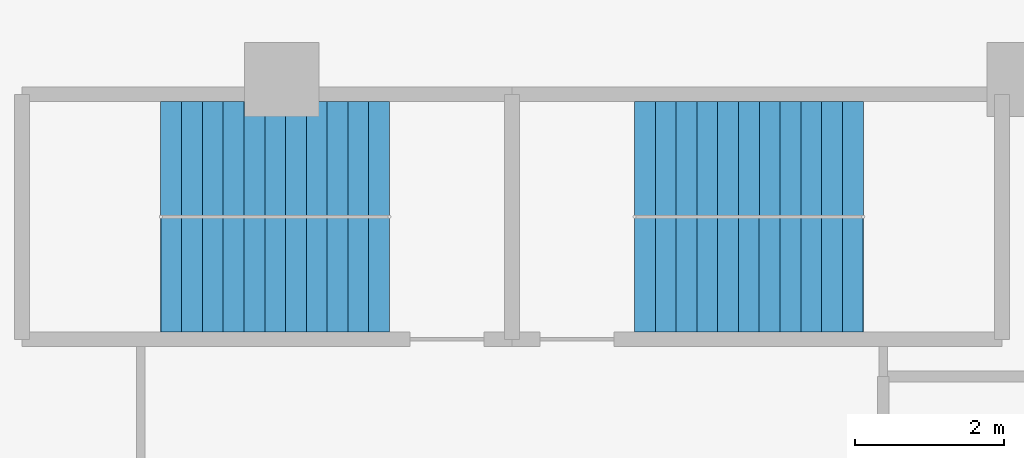
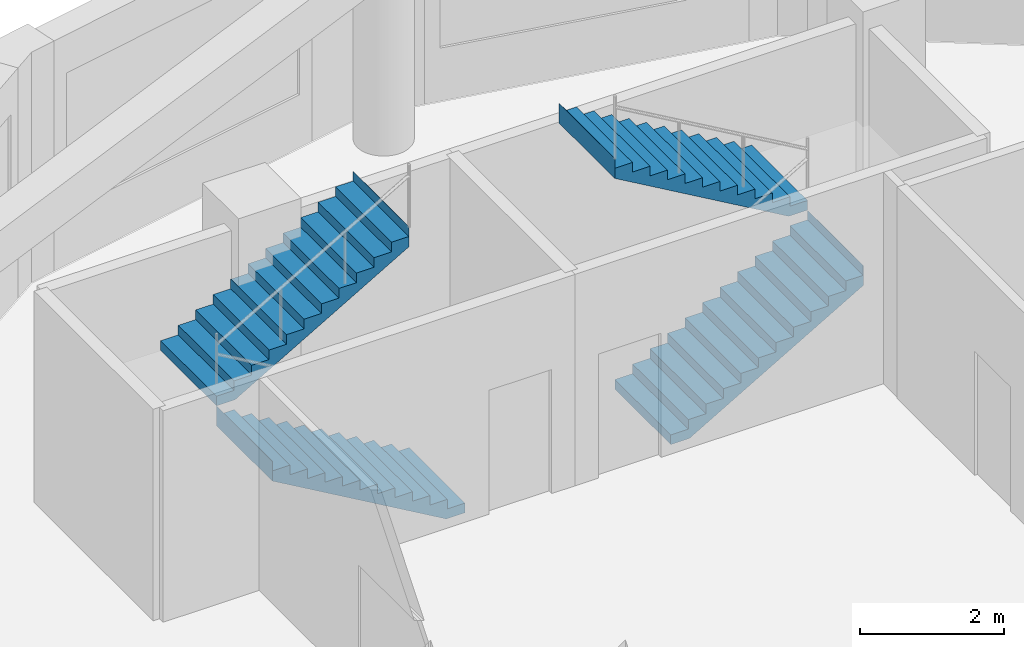
# One storey, part 7 of 9: 4 stair flights, 2 elements without a shape of their own.
"""IFC4 building model written with IfcOpenShell, lengths in metres."""

from ifc_helpers import new_model, si_unit, direction, frame, origin, place, context, subcontext, project, spatial, polyline, outline, extrude, material, type_object, element, aggregate, save


model = new_model("IFC4")

# Units and contexts
model_context = context("Model", 3, precision=1e-05, world=origin(), true_north=direction((0.0, 1.0)))
body_context = subcontext(model_context, "Body", "Model", "MODEL_VIEW")
ifc_project = project(units=[si_unit("LENGTHUNIT", "METRE"), si_unit("AREAUNIT", "SQUARE_METRE"), si_unit("VOLUMEUNIT", "CUBIC_METRE"), si_unit("PLANEANGLEUNIT", "RADIAN"), si_unit("MASSUNIT", "GRAM", prefix="KILO")], contexts=[model_context])

# Site, building, storey
site_placement = place(None, origin())
site = spatial("IfcSite", under=ifc_project, at=site_placement, CompositionType="ELEMENT")
building_placement = place(site_placement, origin())
building = spatial("IfcBuilding", under=site, at=building_placement, Name="Qaws Garden Tower", CompositionType="ELEMENT")
storey_placement = place(building_placement, frame((0.0, 0.0, 267.0)))
storey = spatial("IfcBuildingStorey", under=building, at=storey_placement, Name="L64", CompositionType="ELEMENT", Elevation=267.0)

# Stair, stair flights
ifc_material_1 = material(Name="Concrete C40", Category="concrete")
stair_type = type_object("IfcStairType", Name="Exit stair 1350", PredefinedType="HALF_TURN_STAIR", material=ifc_material_1)
placement = place(storey_placement, origin())
stair_1 = element("IfcStair", 1, at=placement, inside=storey, type_object=stair_type, Name="Stair 6", PredefinedType="HALF_TURN_STAIR")
ifc_material_2 = material(Name="Concrete C40", Category="concrete")
stair_flight_type = type_object("IfcStairFlightType", Name="Stair flight 1350", PredefinedType="STRAIGHT", material=ifc_material_2)
stair_flight_1_placement = place(storey_placement, frame((11.449951171875, 67.375, 0.0), z_axis=(0.0, 0.0, 1.0), x_axis=(-1.0, 0.0, 0.0)))
stair_flight_1 = element("IfcStairFlight", 2, at=stair_flight_1_placement, type_object=stair_flight_type, Name="ST6 flight 1", NumberOfRisers=12, NumberOfTreads=11, PredefinedType="STRAIGHT", RiserHeight=0.1625, TreadLength=0.28, context=body_context, shape_type="SweptSolid", body=[
    extrude(outline(polyline([(-0.0029296875, 0.0), (-0.0029296875, 0.16259765625), (0.0, 0.16259765625), (0.280029296875, 0.16259765625), (0.280029296875, 0.324951171875), (0.56005859375, 0.324951171875), (0.56005859375, 0.487548828125), (0.840087890625, 0.487548828125), (0.840087890625, 0.64990234375), (1.1201171875, 0.64990234375), (1.1201171875, 0.8125), (1.39990234375, 0.8125), (1.39990234375, 0.97509765625), (1.679931640625, 0.97509765625), (1.679931640625, 1.137451171875), (1.9599609375, 1.137451171875), (1.9599609375, 1.300048828125), (2.239990234375, 1.300048828125), (2.239990234375, 1.46240234375), (2.52001953125, 1.46240234375), (2.52001953125, 1.625), (2.800048828125, 1.625), (2.800048828125, 1.78759765625), (3.080078125, 1.78759765625), (3.080078125, 1.949951171875), (3.0830078125, 1.949951171875), (3.0830078125, 1.6142578125), (3.080078125, 1.6142578125), (0.298583984375, 0.0), (-0.0029296875, 0.0)])), frame((0.0, 0.77490234375, 0.0), z_axis=(0.0, -1.0, 0.0), x_axis=(1.0, 0.0, 0.0)), (0.0, 0.0, 1.0), 1.550048828125),
])
stair_flight_2_placement = place(storey_placement, frame((8.3701171875, 68.925048828125, 1.949951171875), z_axis=(0.0, 0.0, 1.0), x_axis=(1.0, 0.0, 0.0)))
stair_flight_2 = element("IfcStairFlight", 3, at=stair_flight_2_placement, type_object=stair_flight_type, Name="ST6 flight 2", NumberOfRisers=12, NumberOfTreads=11, PredefinedType="STRAIGHT", RiserHeight=0.1625, TreadLength=0.28, context=body_context, shape_type="SweptSolid", body=[
    extrude(outline(polyline([(-0.0029296875, 0.0), (-0.0029296875, 0.16259765625), (0.0, 0.16259765625), (0.280029296875, 0.16259765625), (0.280029296875, 0.324951171875), (0.56005859375, 0.324951171875), (0.56005859375, 0.487548828125), (0.840087890625, 0.487548828125), (0.840087890625, 0.64990234375), (1.1201171875, 0.64990234375), (1.1201171875, 0.8125), (1.39990234375, 0.8125), (1.39990234375, 0.97509765625), (1.679931640625, 0.97509765625), (1.679931640625, 1.137451171875), (1.9599609375, 1.137451171875), (1.9599609375, 1.300048828125), (2.239990234375, 1.300048828125), (2.239990234375, 1.46240234375), (2.52001953125, 1.46240234375), (2.52001953125, 1.625), (2.800048828125, 1.625), (2.800048828125, 1.78759765625), (3.080078125, 1.78759765625), (3.080078125, 1.949951171875), (3.0830078125, 1.949951171875), (3.0830078125, 1.6142578125), (3.080078125, 1.6142578125), (0.298583984375, 0.0), (-0.0029296875, 0.0)])), frame((0.0, 0.77490234375, 0.0), z_axis=(0.0, -1.0, 0.0), x_axis=(1.0, 0.0, 0.0)), (0.0, 0.0, 1.0), 1.550048828125),
])
aggregate(stair_1, [stair_flight_1, stair_flight_2])

stair_2 = element("IfcStair", 4, at=placement, inside=storey, type_object=stair_type, Name="Stair 7", PredefinedType="HALF_TURN_STAIR")
stair_flight_3_placement = place(storey_placement, frame((14.75, 67.375, 0.0), z_axis=(0.0, 0.0, 1.0), x_axis=(1.0, 0.0, 0.0)))
stair_flight_3 = element("IfcStairFlight", 5, at=stair_flight_3_placement, type_object=stair_flight_type, Name="ST7 flight 1", NumberOfRisers=12, NumberOfTreads=11, PredefinedType="STRAIGHT", RiserHeight=0.1625, TreadLength=0.28, context=body_context, shape_type="SweptSolid", body=[
    extrude(outline(polyline([(-0.0029296875, 0.0), (-0.0029296875, 0.16259765625), (0.0, 0.16259765625), (0.280029296875, 0.16259765625), (0.280029296875, 0.324951171875), (0.56005859375, 0.324951171875), (0.56005859375, 0.487548828125), (0.840087890625, 0.487548828125), (0.840087890625, 0.64990234375), (1.1201171875, 0.64990234375), (1.1201171875, 0.8125), (1.39990234375, 0.8125), (1.39990234375, 0.97509765625), (1.679931640625, 0.97509765625), (1.679931640625, 1.137451171875), (1.9599609375, 1.137451171875), (1.9599609375, 1.300048828125), (2.239990234375, 1.300048828125), (2.239990234375, 1.46240234375), (2.52001953125, 1.46240234375), (2.52001953125, 1.625), (2.800048828125, 1.625), (2.800048828125, 1.78759765625), (3.080078125, 1.78759765625), (3.080078125, 1.949951171875), (3.0830078125, 1.949951171875), (3.0830078125, 1.6142578125), (3.080078125, 1.6142578125), (0.298583984375, 0.0), (-0.0029296875, 0.0)])), frame((0.0, 0.77490234375, 0.0), z_axis=(0.0, -1.0, 0.0), x_axis=(1.0, 0.0, 0.0)), (0.0, 0.0, 1.0), 1.550048828125),
])
stair_flight_4_placement = place(storey_placement, frame((17.830078125, 68.925048828125, 1.949951171875), z_axis=(0.0, 0.0, 1.0), x_axis=(-1.0, 0.0, 0.0)))
stair_flight_4 = element("IfcStairFlight", 6, at=stair_flight_4_placement, type_object=stair_flight_type, Name="ST7 flight 2", NumberOfRisers=12, NumberOfTreads=11, PredefinedType="STRAIGHT", RiserHeight=0.1625, TreadLength=0.28, context=body_context, shape_type="SweptSolid", body=[
    extrude(outline(polyline([(-0.0029296875, 0.0), (-0.0029296875, 0.16259765625), (0.0, 0.16259765625), (0.280029296875, 0.16259765625), (0.280029296875, 0.324951171875), (0.56005859375, 0.324951171875), (0.56005859375, 0.487548828125), (0.840087890625, 0.487548828125), (0.840087890625, 0.64990234375), (1.1201171875, 0.64990234375), (1.1201171875, 0.8125), (1.39990234375, 0.8125), (1.39990234375, 0.97509765625), (1.679931640625, 0.97509765625), (1.679931640625, 1.137451171875), (1.9599609375, 1.137451171875), (1.9599609375, 1.300048828125), (2.239990234375, 1.300048828125), (2.239990234375, 1.46240234375), (2.52001953125, 1.46240234375), (2.52001953125, 1.625), (2.800048828125, 1.625), (2.800048828125, 1.78759765625), (3.080078125, 1.78759765625), (3.080078125, 1.949951171875), (3.0830078125, 1.949951171875), (3.0830078125, 1.6142578125), (3.080078125, 1.6142578125), (0.298583984375, 0.0), (-0.0029296875, 0.0)])), frame((0.0, 0.77490234375, 0.0), z_axis=(0.0, -1.0, 0.0), x_axis=(1.0, 0.0, 0.0)), (0.0, 0.0, 1.0), 1.550048828125),
])
aggregate(stair_2, [stair_flight_3, stair_flight_4])

save(model, "model.ifc")
